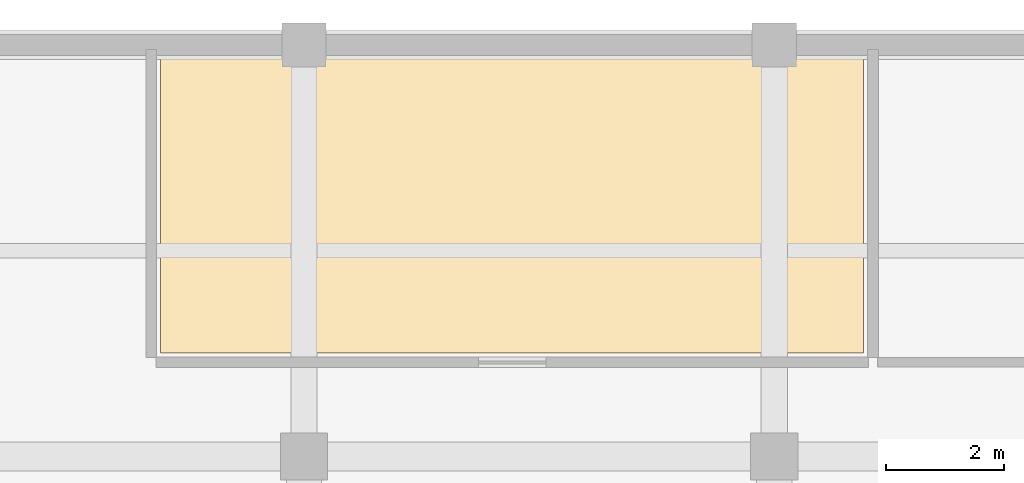
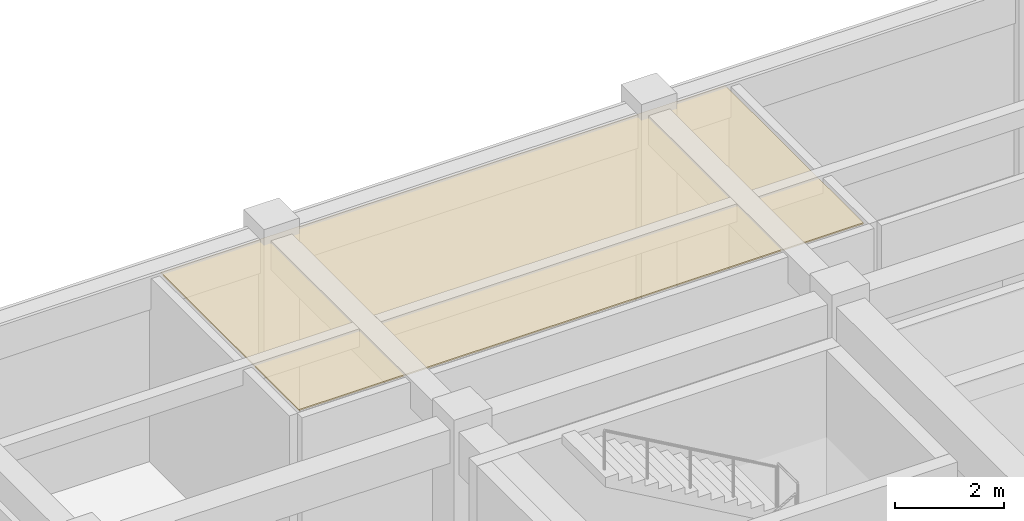
# One storey, part 70 of 70: 1 covering.
"""IFC4 building model written with IfcOpenShell, lengths in metres."""

from ifc_helpers import new_model, si_unit, direction, frame, origin, place, context, subcontext, project, spatial, polyline, outline, extrude, material, layer, layer_set, type_object, element, save


model = new_model("IFC4")

# Units and contexts
model_context = context("Model", 3, precision=1e-05, world=origin(), true_north=direction((0.0, 1.0)))
body_context = subcontext(model_context, "Body", "Model", "MODEL_VIEW")
ifc_project = project(units=[si_unit("LENGTHUNIT", "METRE"), si_unit("AREAUNIT", "SQUARE_METRE"), si_unit("VOLUMEUNIT", "CUBIC_METRE"), si_unit("PLANEANGLEUNIT", "RADIAN"), si_unit("MASSUNIT", "GRAM", prefix="KILO")], contexts=[model_context])

# Site, building, storey
site_placement = place(None, origin())
site = spatial("IfcSite", under=ifc_project, at=site_placement, CompositionType="ELEMENT")
building_placement = place(site_placement, origin())
building = spatial("IfcBuilding", under=site, at=building_placement, Name="Naurynzar Civic Courthouse", CompositionType="ELEMENT")
storey_placement = place(building_placement, frame((0.0, 0.0, 5.39990234375)))
storey = spatial("IfcBuildingStorey", under=building, at=storey_placement, Name="L02", CompositionType="ELEMENT", Elevation=5.39990234375)

# Covering
ifc_material = material(Name="Mineral Fibre Acoustic Ceiling")
ifc_layer = layer(ifc_material, 0.030029296875)
ifc_layer_set = layer_set([ifc_layer], Name="CEIL-MINERAL-30")
covering_type = type_object("IfcCoveringType", Name="CEIL-MINERAL-30", PredefinedType="CEILING", material=ifc_layer_set)
covering_placement = place(storey_placement, frame((0.0, 0.0, 4.114990234375)))
element("IfcCovering", 1, at=covering_placement, inside=storey, type_object=covering_type, Name="Acoustic suspended ceiling Jury Room L02-N", PredefinedType="CEILING", context=body_context, shape_type="SweptSolid", body=[
    extrude(outline(polyline([(135.56005859375, 66.760009765625), (135.56005859375, 71.840087890625), (147.51708984375, 71.840087890625), (147.51708984375, 66.760009765625), (135.56005859375, 66.760009765625)])), origin(), (0.0, 0.0, 1.0), 0.030029296875),
])

save(model, "model.ifc")
